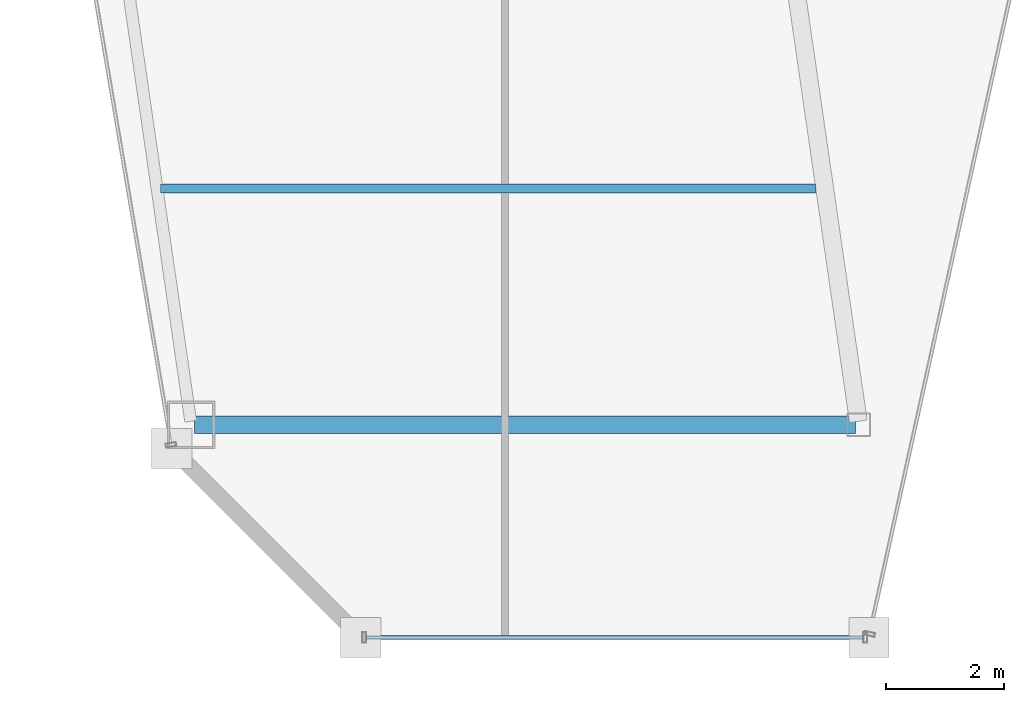
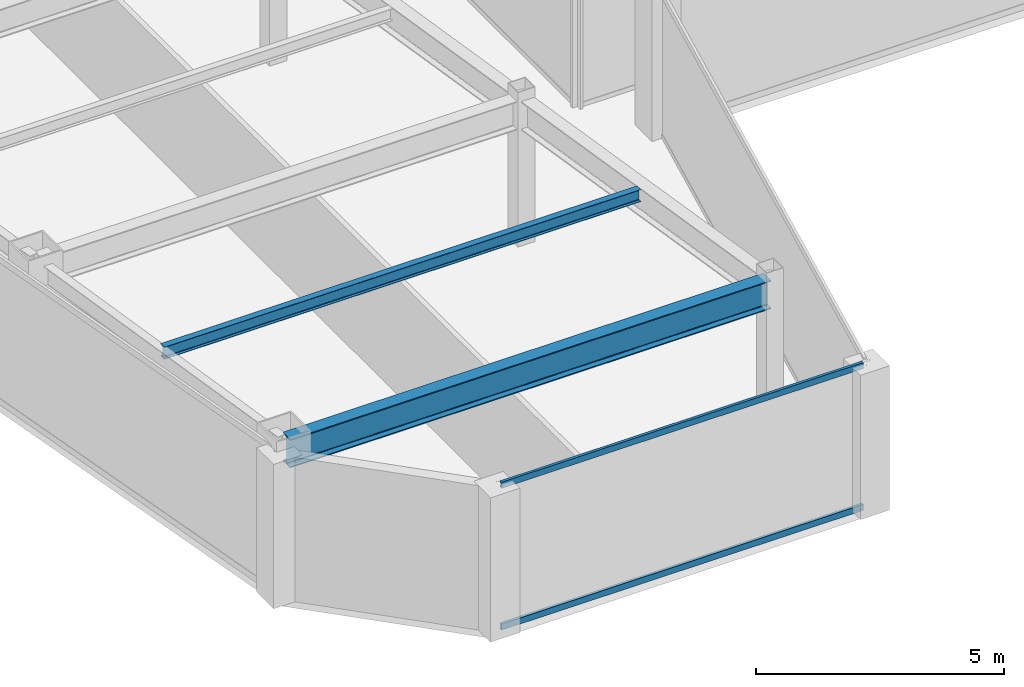
# One storey, part 4 of 35: 2 beams, 2 members, 1 element without a shape of its own.
"""IFC4 building model written with IfcOpenShell, lengths in metres."""

import ifcopenshell
import ifcopenshell.guid

model = None  # the IFC model being written
_history = None  # IfcOwnerHistory: only IFC2X3 demands one
_inside = {}  # id of a spatial element -> (the spatial element, [elements in it])
_under = {}  # id of a project, library or spatial element -> (it, [spatial elements below it])
_declared = {}  # id of a project -> (the project, [libraries it declares])
_typed = {}  # id of a type object -> (the type object, [elements of that type])
_made_of = {}  # id of a material, layer set ... -> (it, [elements and type objects made of it])


def new_model(schema):
    """Start an empty IFC model of exactly this schema.

    Asked for "IFC4X3", IfcOpenShell would pick the latest addendum, in which some entities
    have other attributes; the version numbers below select the first issue.
    IFC2X3 requires an IfcOwnerHistory on every rooted entity: one is made here for all.
    """
    global model, _history
    if schema == "IFC4X3":
        model = ifcopenshell.file(schema_version=(4, 3, 0, 0))
    else:
        model = ifcopenshell.file(schema=schema)
    _inside.clear()
    _under.clear()
    _declared.clear()
    _typed.clear()
    _made_of.clear()
    _history = None
    if model.schema == "IFC2X3":
        org = make("IfcOrganization", Name="unknown")
        user = make(
            "IfcPersonAndOrganization",
            ThePerson=make("IfcPerson", FamilyName="unknown"),
            TheOrganization=org,
        )
        app = make(
            "IfcApplication",
            ApplicationDeveloper=org,
            Version="unknown",
            ApplicationFullName="unknown",
            ApplicationIdentifier="unknown",
        )
        _history = make(
            "IfcOwnerHistory",
            OwningUser=user,
            OwningApplication=app,
            ChangeAction="ADDED",
            CreationDate=0,
        )
    return model


def make(cls, **values):
    """One entity of the class cls with the attributes given. An attribute that is None is left unset."""
    return model.create_entity(
        cls, **{name: value for name, value in values.items() if value is not None}
    )


def rooted(cls, **values):
    """An entity with a GlobalId (a new one), such as an element, a storey or a relation."""
    return make(cls, GlobalId=ifcopenshell.guid.new(), OwnerHistory=_history, **values)


def si_unit(unit_type, name, prefix=None):
    """IfcSIUnit, for example si_unit("LENGTHUNIT", "METRE", prefix="MILLI")."""
    return make("IfcSIUnit", UnitType=unit_type, Prefix=prefix, Name=name)


def assignment(units):
    """IfcUnitAssignment: the units of a project."""
    return None if units is None else make("IfcUnitAssignment", Units=units)


def point(xyz):
    """IfcCartesianPoint."""
    return None if xyz is None else make("IfcCartesianPoint", Coordinates=xyz)


def direction(xyz):
    """IfcDirection."""
    return None if xyz is None else make("IfcDirection", DirectionRatios=xyz)


def frame(location, z_axis=None, x_axis=None):
    """IfcAxis2Placement3D, a coordinate frame: its origin and axes. An axis left out is left unset."""
    return make(
        "IfcAxis2Placement3D",
        Location=point(location),
        Axis=direction(z_axis),
        RefDirection=direction(x_axis),
    )


def frame_2d(location, x_axis=None):
    """IfcAxis2Placement2D, a coordinate frame in the plane: its origin and x axis."""
    return make(
        "IfcAxis2Placement2D", Location=point(location), RefDirection=direction(x_axis)
    )


def origin():
    """The frame at (0, 0, 0) with its axes left unset."""
    return frame((0.0, 0.0, 0.0))


def origin_2d():
    """The frame at (0, 0) in the plane with its x axis left unset."""
    return frame_2d((0.0, 0.0))


def place(relative_to, where):
    """IfcLocalPlacement: puts the frame where relative to a parent placement (None: the world)."""
    return make(
        "IfcLocalPlacement", PlacementRelTo=relative_to, RelativePlacement=where
    )


def context(
    kind, dimensions, precision=None, world=None, true_north=None, identifier=None
):
    """IfcGeometricRepresentationContext, for example the 3D "Model" context."""
    return make(
        "IfcGeometricRepresentationContext",
        ContextIdentifier=identifier,
        ContextType=kind,
        CoordinateSpaceDimension=dimensions,
        Precision=precision,
        WorldCoordinateSystem=world,
        TrueNorth=true_north,
    )


def subcontext(parent, identifier, kind, view, scale=None):
    """IfcGeometricRepresentationSubContext, for example "Body" below "Model"."""
    return make(
        "IfcGeometricRepresentationSubContext",
        ContextIdentifier=identifier,
        ContextType=kind,
        ParentContext=parent,
        TargetScale=scale,
        TargetView=view,
    )


def project(units=None, contexts=None):
    """IfcProject with its units and contexts."""
    return rooted(
        "IfcProject",
        Name="project",
        RepresentationContexts=contexts,
        UnitsInContext=assignment(units),
    )


def spatial(cls, under=None, at=None, **own):
    """A site, building, storey or space (cls), placed at a placement, below another one or the project."""
    s = rooted(cls, ObjectPlacement=at, **own)
    if under is not None:
        _under.setdefault(under.id(), (under, []))[1].append(s)
    return s


def profile(cls, at=None, kind="AREA", **sizes):
    """A parametric profile (cls). Its sizes go by their IFC names, for example OverallWidth=200.0."""
    return make(cls, ProfileType=kind, Position=at, **sizes)


def hollow_rectangle(**sizes):
    """IfcRectangleHollowProfileDef."""
    return profile("IfcRectangleHollowProfileDef", **sizes)


def i_section(**sizes):
    """IfcIShapeProfileDef."""
    return profile("IfcIShapeProfileDef", **sizes)


def extrude(swept, where, along, depth):
    """IfcExtrudedAreaSolid: the profile swept, set in the frame where, extruded along a direction by depth."""
    return make(
        "IfcExtrudedAreaSolid",
        SweptArea=swept,
        Position=where,
        ExtrudedDirection=direction(along),
        Depth=depth,
    )


def shape(context_of_items, identifier, shape_type, items):
    """IfcShapeRepresentation: the items that make up one representation, for example the "Body"."""
    return make(
        "IfcShapeRepresentation",
        ContextOfItems=context_of_items,
        RepresentationIdentifier=identifier,
        RepresentationType=shape_type,
        Items=items,
    )


def material(Name=None, Category=None):
    """IfcMaterial."""
    return make("IfcMaterial", Name=Name, Category=Category)


def material_profile(
    of_material, cross_section, Name=None, Category=None, Priority=None
):
    """IfcMaterialProfile: a cross section and its material."""
    return make(
        "IfcMaterialProfile",
        Name=Name,
        Material=of_material,
        Profile=cross_section,
        Priority=Priority,
        Category=Category,
    )


def profile_set(profiles, Name=None, composite=None):
    """IfcMaterialProfileSet."""
    return make(
        "IfcMaterialProfileSet",
        Name=Name,
        MaterialProfiles=profiles,
        CompositeProfile=composite,
    )


def made_of(thing, what):
    """Note that an element or type object is made of a material, layer set ...; save() writes the relation."""
    if what is not None:
        _made_of.setdefault(what.id(), (what, []))[1].append(thing)
    return thing


def type_object(cls, material=None, **own):
    """A type object (cls), such as IfcWallType, which elements share."""
    return made_of(rooted(cls, **own), material)


def element(
    cls,
    number,
    at=None,
    inside=None,
    cuts=None,
    type_object=None,
    material=None,
    context=None,
    identifier="Body",
    shape_type=None,
    held_by="IfcProductDefinitionShape",
    body=None,
    shapes=None,
    **own,
):
    """One element of the class cls, such as IfcWall. Its Tag is "e" and its number.

    at: its placement. inside: the storey or other place that contains it. cuts: it is an
    opening in that element (IfcRelVoidsElement). A single representation is given by context,
    identifier, shape_type and body (its items); several are given by shapes. held_by: the class
    of the entity that holds the representations. save() writes the other relations.
    """
    e = rooted(cls, Tag="e%d" % number, ObjectPlacement=at, **own)
    if body is not None:
        shapes = [shape(context, identifier, shape_type, body)]
    if shapes is not None:
        e.Representation = make(held_by, Representations=shapes)
    if inside is not None:
        _inside.setdefault(inside.id(), (inside, []))[1].append(e)
    if cuts is not None:
        rooted(
            "IfcRelVoidsElement", RelatingBuildingElement=cuts, RelatedOpeningElement=e
        )
    if type_object is not None:
        _typed.setdefault(type_object.id(), (type_object, []))[1].append(e)
    return made_of(e, material)


def aggregate(whole, parts):
    """IfcRelAggregates: a whole, such as a stair, and the parts it consists of."""
    return rooted("IfcRelAggregates", RelatingObject=whole, RelatedObjects=parts)


def save(model, path):
    """Write the relations noted so far, then the file.

    IfcRelAggregates (storeys below a building ...), IfcRelContainedInSpatialStructure (elements
    in a storey), IfcRelDefinesByType, IfcRelAssociatesMaterial and IfcRelDeclares: one each for
    every whole, place, type object, material and project.
    """
    for whole, parts in _under.values():
        aggregate(whole, parts)
    for where, things in _inside.values():
        rooted(
            "IfcRelContainedInSpatialStructure",
            RelatedElements=things,
            RelatingStructure=where,
        )
    for kind, things in _typed.values():
        rooted("IfcRelDefinesByType", RelatedObjects=things, RelatingType=kind)
    for what, things in _made_of.values():
        rooted("IfcRelAssociatesMaterial", RelatedObjects=things, RelatingMaterial=what)
    for by, libraries in _declared.values():
        rooted("IfcRelDeclares", RelatingContext=by, RelatedDefinitions=libraries)
    model.write(path)


model = new_model("IFC4")

# Units and contexts
model_context = context("Model", 3, precision=1e-05, world=origin(), true_north=direction((0.0, 1.0)))
body_context = subcontext(model_context, "Body", "Model", "MODEL_VIEW")
ifc_project = project(units=[si_unit("LENGTHUNIT", "METRE"), si_unit("AREAUNIT", "SQUARE_METRE"), si_unit("VOLUMEUNIT", "CUBIC_METRE"), si_unit("PLANEANGLEUNIT", "RADIAN"), si_unit("MASSUNIT", "GRAM", prefix="KILO")], contexts=[model_context])

# Site, building, storey
site_placement = place(None, origin())
site = spatial("IfcSite", under=ifc_project, at=site_placement, CompositionType="ELEMENT")
building_placement = place(site_placement, origin())
building = spatial("IfcBuilding", under=site, at=building_placement, Name="Saevonmaru Cultural Tower", CompositionType="ELEMENT")
storey_placement = place(building_placement, frame((0.0, 0.0, 213.199951171875)))
storey = spatial("IfcBuildingStorey", under=building, at=storey_placement, Name="L49", CompositionType="ELEMENT", Elevation=213.199951171875)

# Beams
ifc_material_1 = material(Name="Steel SM355", Category="steel")
ifc_material_profile_1 = material_profile(ifc_material_1, i_section(OverallWidth=0.300048828125, OverallDepth=0.699951171875, WebThickness=0.012939453125, FlangeThickness=0.02392578125, FilletRadius=0.02587890625, at=origin_2d()), Name="H-700x300x13x24")
ifc_profile_set_1 = profile_set([ifc_material_profile_1], Name="Steel SM355")
beam_type_1 = type_object("IfcBeamType", Name="BM-G-H700", PredefinedType="BEAM", material=ifc_profile_set_1)
beam_1_placement = place(storey_placement, frame((10.68798828125, 16.0, 3.199951171875), z_axis=(1.0, 0.0, 0.0), x_axis=(0.0, 1.0, 0.0)))
element("IfcBeam", 1, at=beam_1_placement, inside=storey, type_object=beam_type_1, Name="L49 West Wing Transverse Girder 1", PredefinedType="BEAM", context=body_context, shape_type="SweptSolid", body=[
    extrude(i_section(OverallWidth=0.300048828125, OverallDepth=0.699951171875, WebThickness=0.012939453125, FlangeThickness=0.02392578125, FilletRadius=0.02587890625, at=origin_2d()), origin(), (0.0, 0.0, 1.0), 11.179931640625),
])
ifc_material_profile_2 = material_profile(ifc_material_1, i_section(OverallWidth=0.14990234375, OverallDepth=0.300048828125, WebThickness=0.006591796875, FlangeThickness=0.009033203125, FilletRadius=0.012939453125, at=origin_2d()), Name="H-300x150x6.5x9")
ifc_profile_set_2 = profile_set([ifc_material_profile_2], Name="Steel SM355")
beam_type_2 = type_object("IfcBeamType", Name="BM-J-H300", PredefinedType="JOIST", material=ifc_profile_set_2)
beam_2_placement = place(storey_placement, frame((10.110107421875, 20.0, 3.400146484375), z_axis=(1.0, 0.0, 0.0), x_axis=(0.0, 1.0, 0.0)))
element("IfcBeam", 2, at=beam_2_placement, inside=storey, type_object=beam_type_2, Name="L49 West Wing Floor Joist 1", PredefinedType="JOIST", context=body_context, shape_type="SweptSolid", body=[
    extrude(i_section(OverallWidth=0.14990234375, OverallDepth=0.300048828125, WebThickness=0.006591796875, FlangeThickness=0.009033203125, FilletRadius=0.012939453125, at=origin_2d()), origin(), (0.0, 0.0, 1.0), 11.081787109375),
])

# Curtain wall, members
ifc_material_2 = material(Name="Satin Bronze Anodised Aluminium", Category="aluminium")
curtain_wall_type = type_object("IfcCurtainWallType", Name="CW-TYP-B", PredefinedType="NOTDEFINED", material=ifc_material_2)
curtain_wall_placement = place(storey_placement, origin())
curtain_wall = element("IfcCurtainWall", 3, at=curtain_wall_placement, inside=storey, type_object=curtain_wall_type, Name="L49 Unitised Curtain Wall E2", PredefinedType="NOTDEFINED")
ifc_material_profile_3 = material_profile(ifc_material_2, hollow_rectangle(XDim=0.06494140625, YDim=0.14990234375, WallThickness=0.00390625, at=origin_2d()), Name="ALU-TRAN-150x65x4")
ifc_profile_set_3 = profile_set([ifc_material_profile_3], Name="Satin Bronze Anodised Aluminium")
member_type = type_object("IfcMemberType", Name="TR-CW-150x65", PredefinedType="USERDEFINED", material=ifc_profile_set_3)
member_1_placement = place(storey_placement, frame((13.59033203125, 12.39990234375, 0.032470703125), z_axis=(1.0, 0.0, 0.0), x_axis=(0.0, 1.0, 0.0)))
member_1 = element("IfcMember", 4, at=member_1_placement, type_object=member_type, Name="CW-TW-L49-E2 transom 1.1", ObjectType="TRANSOM", PredefinedType="USERDEFINED", context=body_context, shape_type="SweptSolid", body=[
    extrude(hollow_rectangle(XDim=0.06494140625, YDim=0.14990234375, WallThickness=0.00390625, at=origin_2d()), origin(), (0.0, 0.0, 1.0), 8.4150390625),
])
member_2_placement = place(storey_placement, frame((13.59033203125, 12.39990234375, 3.517578125), z_axis=(1.0, 0.0, 0.0), x_axis=(0.0, 1.0, 0.0)))
member_2 = element("IfcMember", 5, at=member_2_placement, type_object=member_type, Name="CW-TW-L49-E2 transom 1.2", ObjectType="TRANSOM", PredefinedType="USERDEFINED", context=body_context, shape_type="SweptSolid", body=[
    extrude(hollow_rectangle(XDim=0.06494140625, YDim=0.14990234375, WallThickness=0.00390625, at=origin_2d()), origin(), (0.0, 0.0, 1.0), 8.4150390625),
])
aggregate(curtain_wall, [member_1, member_2])

save(model, "model.ifc")
